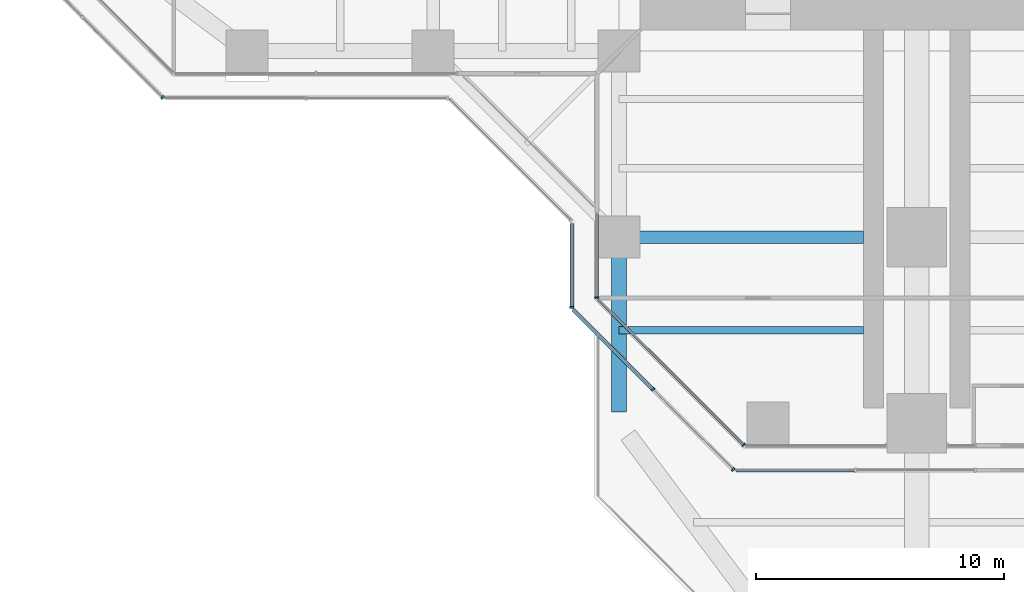
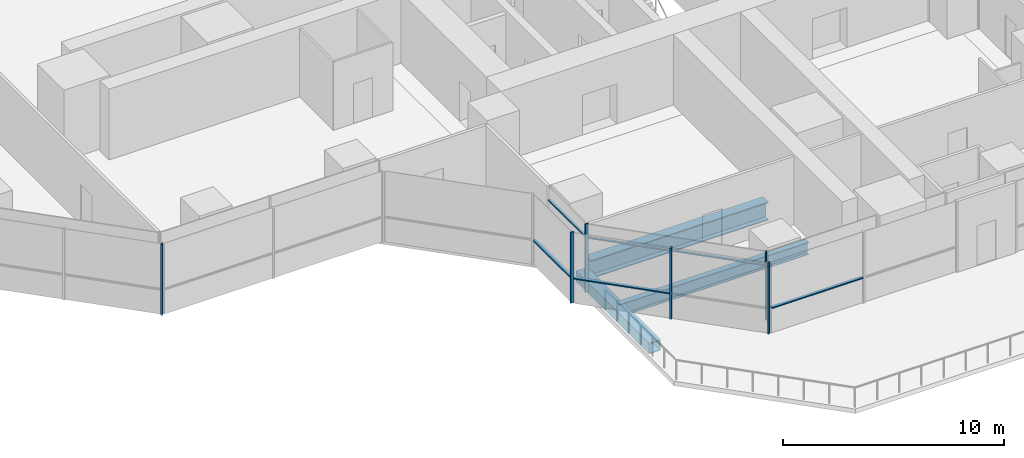
# One storey, part 2 of 21: 11 members, 3 beams, 6 elements without a shape of their own.
"""IFC4 building model written with IfcOpenShell, lengths in metres."""

from ifc_helpers import new_model, si_unit, direction, frame, origin, origin_2d, place, context, subcontext, project, spatial, rectangle, hollow_rectangle, i_section, extrude, material, material_profile, profile_set, type_object, element, aggregate, save


model = new_model("IFC4")

# Units and contexts
model_context = context("Model", 3, precision=1e-05, world=origin(), true_north=direction((0.0, 1.0)))
body_context = subcontext(model_context, "Body", "Model", "MODEL_VIEW")
ifc_project = project(units=[si_unit("LENGTHUNIT", "METRE"), si_unit("AREAUNIT", "SQUARE_METRE"), si_unit("VOLUMEUNIT", "CUBIC_METRE"), si_unit("PLANEANGLEUNIT", "RADIAN"), si_unit("MASSUNIT", "GRAM", prefix="KILO")], contexts=[model_context])

# Site, building, storey
site_placement = place(None, origin())
site = spatial("IfcSite", under=ifc_project, at=site_placement, CompositionType="ELEMENT")
building_placement = place(site_placement, origin())
building = spatial("IfcBuilding", under=site, at=building_placement, Name="Mizan Broadcast Tower", CompositionType="ELEMENT")
storey_placement = place(building_placement, frame((0.0, 0.0, 124.199951171875)))
storey = spatial("IfcBuildingStorey", under=building, at=storey_placement, Name="L27", CompositionType="ELEMENT", Elevation=124.199951171875)

# Beams
ifc_material_1 = material(Name="Steel S355", Category="steel")
ifc_material_profile_1 = material_profile(ifc_material_1, hollow_rectangle(XDim=0.60009765625, YDim=0.60009765625, WallThickness=0.0400390625, at=origin_2d()), Name="BOX 600x600x40")
ifc_profile_set_1 = profile_set([ifc_material_profile_1], Name="Steel S355")
beam_type_1 = type_object("IfcBeamType", Name="EDGE BEAM BOX 600x600x40", PredefinedType="SPANDREL", material=ifc_profile_set_1)
beam_1_placement = place(storey_placement, frame((-12.0, -19.949951171875, -0.550048828125), z_axis=(0.0, -1.0, 0.0), x_axis=(1.0, 0.0, 0.0)))
element("IfcBeam", 1, at=beam_1_placement, inside=storey, type_object=beam_type_1, Name="Edge beam BOX 600x600x40 L27 south arm", PredefinedType="SPANDREL", context=body_context, shape_type="SweptSolid", body=[
    extrude(hollow_rectangle(XDim=0.60009765625, YDim=0.60009765625, WallThickness=0.0400390625, at=origin_2d()), origin(), (0.0, 0.0, 1.0), 6.60009765625),
])
ifc_material_2 = material(Name="Steel S460", Category="steel")
ifc_material_profile_2 = material_profile(ifc_material_2, i_section(OverallWidth=0.5, OverallDepth=1.0, WebThickness=0.02490234375, FlangeThickness=0.050048828125, at=origin_2d()), Name="WPG 1000x500")
ifc_profile_set_2 = profile_set([ifc_material_profile_2], Name="Steel S460")
beam_type_2 = type_object("IfcBeamType", Name="GIRDER WPG 1000x500", PredefinedType="BEAM", material=ifc_profile_set_2)
beam_2_placement = place(storey_placement, frame((-11.408935546875, -19.5, -0.6298828125), z_axis=(1.0, 0.0, 0.0), x_axis=(0.0, 1.0, 0.0)))
element("IfcBeam", 2, at=beam_2_placement, inside=storey, type_object=beam_type_2, Name="Girder WPG 1000x500 L27 south arm", PredefinedType="BEAM", context=body_context, shape_type="SweptSolid", body=[
    extrude(i_section(OverallWidth=0.5, OverallDepth=1.0, WebThickness=0.02490234375, FlangeThickness=0.050048828125, at=origin_2d()), origin(), (0.0, 0.0, 1.0), 9.259033203125),
])

# Curtain wall, member
ifc_material_3 = material(Name="Aluminium framed glazing", Category="aluminium")
curtain_wall_type_1 = type_object("IfcCurtainWallType", Name="INNER SKIN MID ZONE", PredefinedType="USERDEFINED", material=ifc_material_3)
curtain_wall_1_placement = place(storey_placement, origin())
curtain_wall_1 = element("IfcCurtainWall", 3, at=curtain_wall_1_placement, inside=storey, type_object=curtain_wall_type_1, Name="Inner skin mid zone L27 S side", ObjectType="INNER SKIN MID ZONE", PredefinedType="USERDEFINED")
ifc_material_4 = material(Name="Aluminium, pale anodised", Category="aluminium")
ifc_material_profile_3 = material_profile(ifc_material_4, rectangle(XDim=0.159912109375, YDim=0.06005859375, at=origin_2d()), Name="MULLION 160x60")
ifc_profile_set_3 = profile_set([ifc_material_profile_3], Name="Aluminium, pale anodised")
member_type_1 = type_object("IfcMemberType", Name="INNER SKIN MULLION 60x160", PredefinedType="MULLION", material=ifc_profile_set_3)
member_1_placement = place(storey_placement, frame((-12.89990234375, -21.928466796875, 0.0), z_axis=(0.0, 0.0, 1.0), x_axis=(1.0, 0.0, 0.0)))
member_1 = element("IfcMember", 4, at=member_1_placement, type_object=member_type_1, Name="Inner skin mid zone L27 S side mullion 2", PredefinedType="MULLION", context=body_context, shape_type="SweptSolid", body=[
    extrude(rectangle(XDim=0.159912109375, YDim=0.06005859375, at=origin_2d()), origin(), (0.0, 0.0, 1.0), 3.77001953125),
])

curtain_wall_2_placement = place(storey_placement, origin())
curtain_wall_2 = element("IfcCurtainWall", 5, at=curtain_wall_2_placement, inside=storey, type_object=curtain_wall_type_1, Name="Inner skin mid zone L27 S chamfer", ObjectType="INNER SKIN MID ZONE", PredefinedType="USERDEFINED")
member_2_placement = place(storey_placement, frame((-6.979736328125, -27.87890625, 0.0), z_axis=(0.0, 0.0, 1.0), x_axis=(0.707106781187, 0.707106781187, 0.0)))
member_2 = element("IfcMember", 6, at=member_2_placement, type_object=member_type_1, Name="Inner skin mid zone L27 S chamfer mullion 2", PredefinedType="MULLION", context=body_context, shape_type="SweptSolid", body=[
    extrude(rectangle(XDim=0.159912109375, YDim=0.06005859375, at=origin_2d()), origin(), (0.0, 0.0, 1.0), 3.77001953125),
])

# Member
ifc_material_5 = material(Name="Aluminium, pale anodised", Category="aluminium")
ifc_material_profile_4 = material_profile(ifc_material_5, rectangle(XDim=0.1201171875, YDim=0.06005859375, at=origin_2d()), Name="TRANSOM 120x60")
ifc_profile_set_4 = profile_set([ifc_material_profile_4], Name="Aluminium, pale anodised")
member_type_2 = type_object("IfcMemberType", Name="INNER SKIN TRANSOM 60x120", PredefinedType="USERDEFINED", material=ifc_profile_set_4)
member_3_placement = place(storey_placement, frame((-12.89990234375, -18.56005859375, 3.030029296875), z_axis=(0.0, -1.0, 0.0), x_axis=(1.0, 0.0, 0.0)))
member_3 = element("IfcMember", 7, at=member_3_placement, type_object=member_type_2, Name="Inner skin mid zone L27 S side transom 1.1", ObjectType="TRANSOM", PredefinedType="USERDEFINED", context=body_context, shape_type="SweptSolid", body=[
    extrude(rectangle(XDim=0.1201171875, YDim=0.06005859375, at=origin_2d()), origin(), (0.0, 0.0, 1.0), 3.338623046875),
])

aggregate(curtain_wall_1, [member_1, member_3])

member_4_placement = place(storey_placement, frame((-12.857666015625, -22.0009765625, 3.030029296875), z_axis=(0.707106781187, -0.707106781187, 0.0), x_axis=(0.707106781187, 0.707106781187, 0.0)))
member_4 = element("IfcMember", 8, at=member_4_placement, type_object=member_type_2, Name="Inner skin mid zone L27 S chamfer transom 1.1", ObjectType="TRANSOM", PredefinedType="USERDEFINED", context=body_context, shape_type="SweptSolid", body=[
    extrude(rectangle(XDim=0.1201171875, YDim=0.06005859375, at=origin_2d()), origin(), (0.0, 0.0, 1.0), 8.28271484375),
])

aggregate(curtain_wall_2, [member_2, member_4])

# Curtain wall, member
ifc_material_6 = material(Name="Aluminium framed glazing", Category="aluminium")
curtain_wall_type_2 = type_object("IfcCurtainWallType", Name="OUTER SKIN", PredefinedType="USERDEFINED", material=ifc_material_6)
curtain_wall_3_placement = place(storey_placement, origin())
curtain_wall_3 = element("IfcCurtainWall", 9, at=curtain_wall_3_placement, inside=storey, type_object=curtain_wall_type_2, Name="Outer skin L27 W chamfer", ObjectType="OUTER SKIN", PredefinedType="USERDEFINED")
ifc_material_7 = material(Name="Aluminium, pale anodised", Category="aluminium")
ifc_material_profile_5 = material_profile(ifc_material_7, rectangle(XDim=0.159912109375, YDim=0.080078125, at=origin_2d()), Name="MULLION 160x80")
ifc_profile_set_5 = profile_set([ifc_material_profile_5], Name="Aluminium, pale anodised")
member_type_3 = type_object("IfcMemberType", Name="OUTER SKIN MULLION 80x160", PredefinedType="MULLION", material=ifc_profile_set_5)
member_5_placement = place(storey_placement, frame((-30.401123046875, -13.871826171875, 0.0), z_axis=(0.0, 0.0, 1.0), x_axis=(0.707106781187, 0.707106781187, 0.0)))
member_5 = element("IfcMember", 10, at=member_5_placement, type_object=member_type_3, Name="Outer skin L27 W chamfer mullion 3", PredefinedType="MULLION", context=body_context, shape_type="SweptSolid", body=[
    extrude(rectangle(XDim=0.159912109375, YDim=0.080078125, at=origin_2d()), origin(), (0.0, 0.0, 1.0), 3.900146484375),
])
aggregate(curtain_wall_3, [member_5])

curtain_wall_4_placement = place(storey_placement, origin())
curtain_wall_4 = element("IfcCurtainWall", 11, at=curtain_wall_4_placement, inside=storey, type_object=curtain_wall_type_2, Name="Outer skin L27 S side", ObjectType="OUTER SKIN", PredefinedType="USERDEFINED")
member_6_placement = place(storey_placement, frame((-13.89990234375, -22.332763671875, 0.0), z_axis=(0.0, 0.0, 1.0), x_axis=(1.0, 0.0, 0.0)))
member_6 = element("IfcMember", 12, at=member_6_placement, type_object=member_type_3, Name="Outer skin L27 S side mullion 2", PredefinedType="MULLION", context=body_context, shape_type="SweptSolid", body=[
    extrude(rectangle(XDim=0.159912109375, YDim=0.080078125, at=origin_2d()), origin(), (0.0, 0.0, 1.0), 3.900146484375),
])

# Curtain wall, members
curtain_wall_5_placement = place(storey_placement, origin())
curtain_wall_5 = element("IfcCurtainWall", 13, at=curtain_wall_5_placement, inside=storey, type_object=curtain_wall_type_2, Name="Outer skin L27 S chamfer", ObjectType="OUTER SKIN", PredefinedType="USERDEFINED")
member_7_placement = place(storey_placement, frame((-10.636474609375, -25.636474609375, 0.0), z_axis=(0.0, 0.0, 1.0), x_axis=(0.707106781187, 0.707106781187, 0.0)))
member_7 = element("IfcMember", 14, at=member_7_placement, type_object=member_type_3, Name="Outer skin L27 S chamfer mullion 2", PredefinedType="MULLION", context=body_context, shape_type="SweptSolid", body=[
    extrude(rectangle(XDim=0.159912109375, YDim=0.080078125, at=origin_2d()), origin(), (0.0, 0.0, 1.0), 3.900146484375),
])
member_8_placement = place(storey_placement, frame((-7.401123046875, -28.871826171875, 0.0), z_axis=(0.0, 0.0, 1.0), x_axis=(0.707106781187, 0.707106781187, 0.0)))
member_8 = element("IfcMember", 15, at=member_8_placement, type_object=member_type_3, Name="Outer skin L27 S chamfer mullion 3", PredefinedType="MULLION", context=body_context, shape_type="SweptSolid", body=[
    extrude(rectangle(XDim=0.159912109375, YDim=0.080078125, at=origin_2d()), origin(), (0.0, 0.0, 1.0), 3.900146484375),
])

# Member
ifc_material_8 = material(Name="Aluminium, pale anodised", Category="aluminium")
ifc_material_profile_6 = material_profile(ifc_material_8, rectangle(XDim=0.159912109375, YDim=0.06005859375, at=origin_2d()), Name="TRANSOM 160x60")
ifc_profile_set_6 = profile_set([ifc_material_profile_6], Name="Aluminium, pale anodised")
member_type_4 = type_object("IfcMemberType", Name="OUTER SKIN TRANSOM 60x160", PredefinedType="USERDEFINED", material=ifc_profile_set_6)
member_9_placement = place(storey_placement, frame((-13.89990234375, -18.952880859375, 1.400146484375), z_axis=(0.0, -1.0, 0.0), x_axis=(1.0, 0.0, 0.0)))
member_9 = element("IfcMember", 16, at=member_9_placement, type_object=member_type_4, Name="Outer skin L27 S side transom 1.1", ObjectType="TRANSOM", PredefinedType="USERDEFINED", context=body_context, shape_type="SweptSolid", body=[
    extrude(rectangle(XDim=0.159912109375, YDim=0.06005859375, at=origin_2d()), origin(), (0.0, 0.0, 1.0), 3.33984375),
])

aggregate(curtain_wall_4, [member_6, member_9])

member_10_placement = place(storey_placement, frame((-13.843505859375, -22.429443359375, 1.400146484375), z_axis=(0.707106781187, -0.707106781187, 0.0), x_axis=(0.707106781187, 0.707106781187, 0.0)))
member_10 = element("IfcMember", 17, at=member_10_placement, type_object=member_type_4, Name="Outer skin L27 S chamfer transom 1.1", ObjectType="TRANSOM", PredefinedType="USERDEFINED", context=body_context, shape_type="SweptSolid", body=[
    extrude(rectangle(XDim=0.159912109375, YDim=0.06005859375, at=origin_2d()), origin(), (0.0, 0.0, 1.0), 4.495361328125),
])

aggregate(curtain_wall_5, [member_7, member_8, member_10])

# Curtain wall, member
curtain_wall_6_placement = place(storey_placement, origin())
curtain_wall_6 = element("IfcCurtainWall", 18, at=curtain_wall_6_placement, inside=storey, type_object=curtain_wall_type_2, Name="Outer skin L27 S end", ObjectType="OUTER SKIN", PredefinedType="USERDEFINED")
member_11_placement = place(storey_placement, frame((-7.292724609375, -28.89990234375, 1.400146484375), z_axis=(1.0, 0.0, 0.0), x_axis=(0.0, 1.0, 0.0)))
member_11 = element("IfcMember", 19, at=member_11_placement, type_object=member_type_4, Name="Outer skin L27 S end transom 1.1", ObjectType="TRANSOM", PredefinedType="USERDEFINED", context=body_context, shape_type="SweptSolid", body=[
    extrude(rectangle(XDim=0.159912109375, YDim=0.06005859375, at=origin_2d()), origin(), (0.0, 0.0, 1.0), 4.766357421875),
])
aggregate(curtain_wall_6, [member_11])

# Beam
ifc_material_9 = material(Name="Steel S355", Category="steel")
ifc_material_profile_7 = material_profile(ifc_material_9, i_section(OverallWidth=0.300048828125, OverallDepth=0.68994140625, WebThickness=0.014404296875, FlangeThickness=0.027099609375, FilletRadius=0.027099609375, at=origin_2d()), Name="HEA 700")
ifc_profile_set_7 = profile_set([ifc_material_profile_7], Name="Steel S355")
beam_type_3 = type_object("IfcBeamType", Name="SECONDARY BEAM HEA 700", PredefinedType="JOIST", material=ifc_profile_set_7)
beam_3_placement = place(storey_placement, frame((-12.0, -23.25, -0.474853515625), z_axis=(1.0, 0.0, 0.0), x_axis=(0.0, 1.0, 0.0)))
element("IfcBeam", 20, at=beam_3_placement, inside=storey, type_object=beam_type_3, Name="Secondary beam HEA 700 L27 south arm", PredefinedType="JOIST", context=body_context, shape_type="SweptSolid", body=[
    extrude(i_section(OverallWidth=0.300048828125, OverallDepth=0.68994140625, WebThickness=0.014404296875, FlangeThickness=0.027099609375, FilletRadius=0.027099609375, at=origin_2d()), origin(), (0.0, 0.0, 1.0), 9.85009765625),
])

save(model, "model.ifc")
